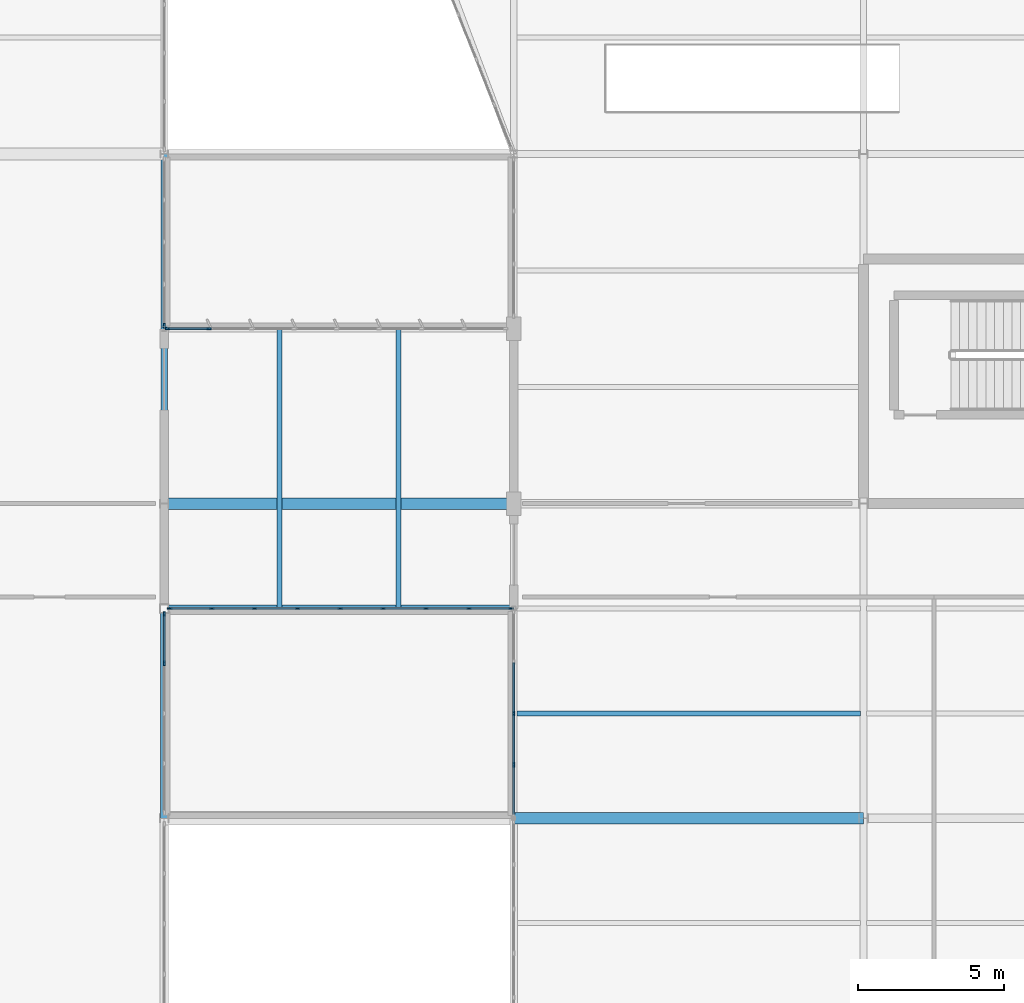
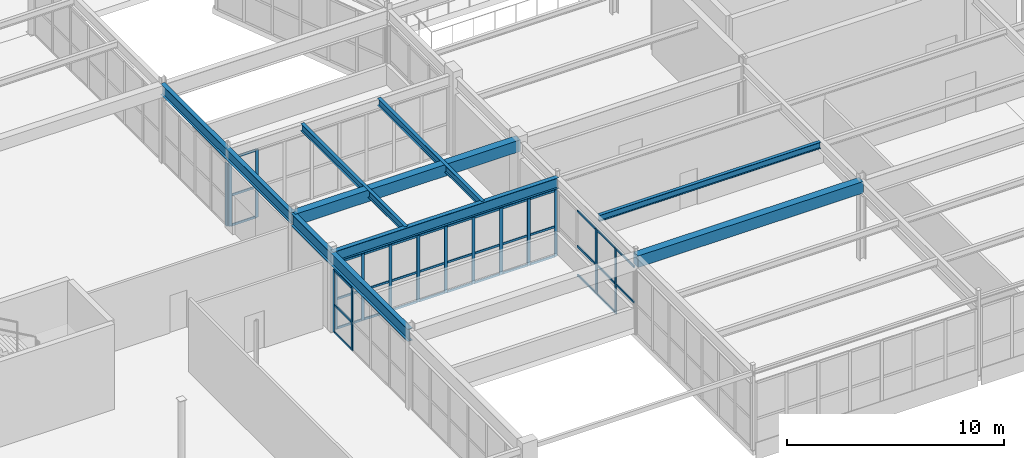
# One storey, part 107 of 226: 54 members, 8 beams, 5 elements without a shape of their own.
"""IFC4 building model written with IfcOpenShell, lengths in metres."""

from ifc_helpers import new_model, si_unit, direction, frame, origin, origin_2d, place, context, subcontext, project, spatial, rectangle, i_section, extrude, material, layer, layer_set, material_profile, profile_set, type_object, element, aggregate, save


model = new_model("IFC4")

# Units and contexts
model_context = context("Model", 3, precision=1e-05, world=origin(), true_north=direction((0.0, 1.0)))
body_context = subcontext(model_context, "Body", "Model", "MODEL_VIEW")
ifc_project = project(units=[si_unit("LENGTHUNIT", "METRE"), si_unit("AREAUNIT", "SQUARE_METRE"), si_unit("VOLUMEUNIT", "CUBIC_METRE"), si_unit("PLANEANGLEUNIT", "RADIAN"), si_unit("MASSUNIT", "GRAM", prefix="KILO")], contexts=[model_context])

# Site, building, storey
site_placement = place(None, origin())
site = spatial("IfcSite", under=ifc_project, at=site_placement, CompositionType="ELEMENT")
building_placement = place(site_placement, origin())
building = spatial("IfcBuilding", under=site, at=building_placement, Name="Tarnwether General Hospital", CompositionType="ELEMENT")
storey_placement = place(building_placement, frame((0.0, 0.0, 4.800048828125)))
storey = spatial("IfcBuildingStorey", under=building, at=storey_placement, Name="L01", CompositionType="ELEMENT", Elevation=4.800048828125)

# Beams
ifc_material_1 = material(Name="Steel Grade 350 (350 MPa)", Category="steel")
ifc_material_profile_1 = material_profile(ifc_material_1, i_section(OverallWidth=0.25, OverallDepth=0.69189453125, WebThickness=0.009033203125, FlangeThickness=0.01611328125, at=origin_2d()), Name="700WB115")
ifc_profile_set_1 = profile_set([ifc_material_profile_1], Name="Steel Grade 350 (350 MPa)")
beam_type_1 = type_object("IfcBeamType", Name="BM-G02", PredefinedType="BEAM", material=ifc_profile_set_1)
beam_1_placement = place(storey_placement, frame((132.0, 10.800048828125, 4.098876953125), z_axis=(0.0, 1.0, 0.0), x_axis=(-1.0, 0.0, 0.0)))
element("IfcBeam", 1, at=beam_1_placement, inside=storey, type_object=beam_type_1, Name="Primary Girder BMG-L01-13200_1080-13200_2160-1195", PredefinedType="BEAM", context=body_context, shape_type="SweptSolid", body=[
    extrude(i_section(OverallWidth=0.25, OverallDepth=0.69189453125, WebThickness=0.009033203125, FlangeThickness=0.01611328125, at=origin_2d()), origin(), (0.0, 0.0, 1.0), 10.800048828125),
])
ifc_material_2 = material(Name="Steel Grade 350 (350 MPa)", Category="steel")
ifc_material_profile_2 = material_profile(ifc_material_2, i_section(OverallWidth=0.22900390625, OverallDepth=0.612060546875, WebThickness=0.011962890625, FlangeThickness=0.01953125, at=origin_2d()), Name="610UB125")
ifc_profile_set_2 = profile_set([ifc_material_profile_2], Name="Steel Grade 350 (350 MPa)")
beam_type_2 = type_object("IfcBeamType", Name="BM-G03", PredefinedType="BEAM", material=ifc_profile_set_2)
for number, where, z_axis, x_axis, name in (
    (2, (132.0, 21.60009765625, 4.138916015625), (0.0, 1.0, 0.0), (-1.0, 0.0, 0.0), "Primary Girder BMG-L01-13200_2160-13200_3360-1197"),
    (3, (132.0, 18.0, 4.138916015625), (1.0, 0.0, 0.0), (0.0, 1.0, 0.0), "Court Link Bridge Girder South BMG-L01-13200_1800-14400_1800-1862"),
):
    element("IfcBeam", number, at=place(storey_placement, frame(where, z_axis=z_axis, x_axis=x_axis)), inside=storey, type_object=beam_type_2, Name=name, PredefinedType="BEAM", context=body_context, shape_type="SweptSolid", body=[
        extrude(i_section(OverallWidth=0.22900390625, OverallDepth=0.612060546875, WebThickness=0.011962890625, FlangeThickness=0.01953125, at=origin_2d()), origin(), (0.0, 0.0, 1.0), 12.0),
    ])
ifc_material_3 = material(Name="Concrete 40 MPa", Category="concrete")
ifc_material_profile_3 = material_profile(ifc_material_3, rectangle(XDim=0.39990234375, YDim=0.64990234375, at=origin_2d()), Name="RC-BM-400x650")
ifc_profile_set_3 = profile_set([ifc_material_profile_3], Name="Concrete 40 MPa")
beam_type_3 = type_object("IfcBeamType", Name="BM-G14", PredefinedType="BEAM", material=ifc_profile_set_3)
for number, where, z_axis, x_axis, name in (
    (4, (132.0, 21.60009765625, 4.119873046875), (1.0, 0.0, 0.0), (0.0, 1.0, 0.0), "Primary Girder BMG-L01-13200_2160-14400_2160-1196"),
    (5, (144.0, 10.800048828125, 4.119873046875), (1.0, 0.0, 0.0), (0.0, 1.0, 0.0), "Primary Girder BMG-L01-14400_1080-15600_1080-1212"),
):
    element("IfcBeam", number, at=place(storey_placement, frame(where, z_axis=z_axis, x_axis=x_axis)), inside=storey, type_object=beam_type_3, Name=name, PredefinedType="BEAM", context=body_context, shape_type="SweptSolid", body=[
        extrude(rectangle(XDim=0.39990234375, YDim=0.64990234375, at=origin_2d()), origin(), (0.0, 0.0, 1.0), 12.0),
    ])
ifc_material_4 = material(Name="Steel Grade 350 (350 MPa)", Category="steel")
ifc_material_profile_4 = material_profile(ifc_material_4, i_section(OverallWidth=0.177978515625, OverallDepth=0.403076171875, WebThickness=0.007568359375, FlangeThickness=0.010986328125, at=origin_2d()), Name="410UB53.7")
ifc_profile_set_4 = profile_set([ifc_material_profile_4], Name="Steel Grade 350 (350 MPa)")
beam_type_4 = type_object("IfcBeamType", Name="BM-J02", PredefinedType="JOIST", material=ifc_profile_set_4)
for number, where, z_axis, x_axis, name in (
    (6, (135.9599609375, 18.0, 4.243408203125), (0.0, 1.0, 0.0), (-1.0, 0.0, 0.0), "Court Link Bridge Cross Beam South BMG-L01-13596_1800-13596_2760-1864"),
    (7, (140.0400390625, 18.0, 4.243408203125), (0.0, 1.0, 0.0), (-1.0, 0.0, 0.0), "Court Link Bridge Cross Beam South BMG-L01-14004_1800-14004_2760-1865"),
):
    element("IfcBeam", number, at=place(storey_placement, frame(where, z_axis=z_axis, x_axis=x_axis)), inside=storey, type_object=beam_type_4, Name=name, PredefinedType="JOIST", context=body_context, shape_type="SweptSolid", body=[
        extrude(i_section(OverallWidth=0.177978515625, OverallDepth=0.403076171875, WebThickness=0.007568359375, FlangeThickness=0.010986328125, at=origin_2d()), origin(), (0.0, 0.0, 1.0), 9.60009765625),
    ])
ifc_material_5 = material(Name="Steel Grade 350 (350 MPa)", Category="steel")
ifc_material_profile_5 = material_profile(ifc_material_5, i_section(OverallWidth=0.172119140625, OverallDepth=0.35888671875, WebThickness=0.008056640625, FlangeThickness=0.012939453125, at=origin_2d()), Name="360UB56.7")
ifc_profile_set_5 = profile_set([ifc_material_profile_5], Name="Steel Grade 350 (350 MPa)")
beam_type_5 = type_object("IfcBeamType", Name="BM-J03", PredefinedType="JOIST", material=ifc_profile_set_5)
beam_2_placement = place(storey_placement, frame((144.10791015625, 14.39990234375, 4.265380859375), z_axis=(1.0, 0.0, 0.0), x_axis=(0.0, 1.0, 0.0)))
element("IfcBeam", 8, at=beam_2_placement, inside=storey, type_object=beam_type_5, Name="Composite Floor Joist BMG-L01-14411_1440-15589_1440-1387", PredefinedType="JOIST", context=body_context, shape_type="SweptSolid", body=[
    extrude(i_section(OverallWidth=0.172119140625, OverallDepth=0.35888671875, WebThickness=0.008056640625, FlangeThickness=0.012939453125, at=origin_2d()), origin(), (0.0, 0.0, 1.0), 11.7841796875),
])

# Curtain wall, members
ifc_material_6 = material(Name="Anodised aluminium", Category="aluminium")
ifc_layer_1 = layer(ifc_material_6, 0.159912109375)
ifc_layer_set_1 = layer_set([ifc_layer_1], Name="Anodised aluminium")
curtain_wall_type_1 = type_object("IfcCurtainWallType", Name="CW-15", PredefinedType="NOTDEFINED", material=ifc_layer_set_1)
curtain_wall_1_placement = place(storey_placement, origin())
curtain_wall_1 = element("IfcCurtainWall", 9, at=curtain_wall_1_placement, inside=storey, type_object=curtain_wall_type_1, Name="Curtain Wall CWG-L01-1320_178-0361", PredefinedType="NOTDEFINED")
ifc_material_7 = material(Name="Anodised aluminium", Category="aluminium")
ifc_material_profile_6 = material_profile(ifc_material_7, rectangle(XDim=0.06005859375, YDim=0.159912109375, at=origin_2d()), Name="ALU-MUL-60x160")
ifc_profile_set_6 = profile_set([ifc_material_profile_6], Name="Anodised aluminium")
member_type_1 = type_object("IfcMemberType", Name="CW-ML1", PredefinedType="MULLION", material=ifc_profile_set_6)
member_1_placement = place(storey_placement, frame((132.0, 17.81201171875, 0.0), z_axis=(0.0, 0.0, 1.0), x_axis=(1.0, 0.0, 0.0)))
member_1 = element("IfcMember", 10, at=member_1_placement, type_object=member_type_1, Name="CW-15 mullion 1", PredefinedType="MULLION", context=body_context, shape_type="SweptSolid", body=[
    extrude(rectangle(XDim=0.06005859375, YDim=0.159912109375, at=origin_2d()), origin(), (0.0, 0.0, 1.0), 3.530029296875),
])
member_2_placement = place(storey_placement, frame((132.0, 16.1220703125, 0.0), z_axis=(0.0, 0.0, 1.0), x_axis=(1.0, 0.0, 0.0)))
member_2 = element("IfcMember", 11, at=member_2_placement, type_object=member_type_1, Name="CW-15 mullion 2", PredefinedType="MULLION", context=body_context, shape_type="SweptSolid", body=[
    extrude(rectangle(XDim=0.06005859375, YDim=0.159912109375, at=origin_2d()), origin(), (0.0, 0.0, 1.0), 3.530029296875),
])

curtain_wall_2_placement = place(storey_placement, origin())
curtain_wall_2 = element("IfcCurtainWall", 12, at=curtain_wall_2_placement, inside=storey, type_object=curtain_wall_type_1, Name="Curtain Wall CWG-L01-1440_109-0364", PredefinedType="NOTDEFINED")
member_3_placement = place(storey_placement, frame((144.0, 12.635009765625, 0.0), z_axis=(0.0, 0.0, 1.0), x_axis=(-1.0, 0.0, 0.0)))
member_3 = element("IfcMember", 13, at=member_3_placement, type_object=member_type_1, Name="CW-15 mullion 2", PredefinedType="MULLION", context=body_context, shape_type="SweptSolid", body=[
    extrude(rectangle(XDim=0.06005859375, YDim=0.159912109375, at=origin_2d()), origin(), (0.0, 0.0, 1.0), 3.679931640625),
])
member_4_placement = place(storey_placement, frame((144.0, 14.39990234375, 0.0), z_axis=(0.0, 0.0, 1.0), x_axis=(-1.0, 0.0, 0.0)))
member_4 = element("IfcMember", 14, at=member_4_placement, type_object=member_type_1, Name="CW-15 mullion 3", PredefinedType="MULLION", context=body_context, shape_type="SweptSolid", body=[
    extrude(rectangle(XDim=0.06005859375, YDim=0.159912109375, at=origin_2d()), origin(), (0.0, 0.0, 1.0), 3.679931640625),
])

# Curtain wall, member
curtain_wall_3_placement = place(storey_placement, origin())
curtain_wall_3 = element("IfcCurtainWall", 15, at=curtain_wall_3_placement, inside=storey, type_object=curtain_wall_type_1, Name="Curtain Wall CWG-L01-1320_335-0366", PredefinedType="NOTDEFINED")
member_5_placement = place(storey_placement, frame((132.0, 27.717041015625, 0.0), z_axis=(0.0, 0.0, 1.0), x_axis=(1.0, 0.0, 0.0)))
member_5 = element("IfcMember", 16, at=member_5_placement, type_object=member_type_1, Name="CW-15 mullion 5", PredefinedType="MULLION", context=body_context, shape_type="SweptSolid", body=[
    extrude(rectangle(XDim=0.06005859375, YDim=0.159912109375, at=origin_2d()), origin(), (0.0, 0.0, 1.0), 3.530029296875),
])
aggregate(curtain_wall_3, [member_5])

# Curtain wall, members
ifc_material_8 = material(Name="Anodised aluminium", Category="aluminium")
ifc_layer_2 = layer(ifc_material_8, 0.159912109375)
ifc_layer_set_2 = layer_set([ifc_layer_2], Name="Anodised aluminium")
curtain_wall_type_2 = type_object("IfcCurtainWallType", Name="CW-21", PredefinedType="NOTDEFINED", material=ifc_layer_set_2)
curtain_wall_4_placement = place(storey_placement, origin())
curtain_wall_4 = element("IfcCurtainWall", 17, at=curtain_wall_4_placement, inside=storey, type_object=curtain_wall_type_2, Name="Curtain Wall CWG-L01-1321_276-0399", PredefinedType="NOTDEFINED")
member_6_placement = place(storey_placement, frame((132.114013671875, 27.60009765625, 0.0), z_axis=(0.0, 0.0, 1.0), x_axis=(0.0, 1.0, 0.0)))
member_6 = element("IfcMember", 18, at=member_6_placement, type_object=member_type_1, Name="CW-21 mullion 1", PredefinedType="MULLION", context=body_context, shape_type="SweptSolid", body=[
    extrude(rectangle(XDim=0.06005859375, YDim=0.159912109375, at=origin_2d()), origin(), (0.0, 0.0, 1.0), 3.81787109375),
])
member_7_placement = place(storey_placement, frame((133.541259765625, 27.60009765625, 0.0), z_axis=(0.0, 0.0, 1.0), x_axis=(0.0, 1.0, 0.0)))
member_7 = element("IfcMember", 19, at=member_7_placement, type_object=member_type_1, Name="CW-21 mullion 2", PredefinedType="MULLION", context=body_context, shape_type="SweptSolid", body=[
    extrude(rectangle(XDim=0.06005859375, YDim=0.159912109375, at=origin_2d()), origin(), (0.0, 0.0, 1.0), 3.81787109375),
])

ifc_material_9 = material(Name="Anodised aluminium", Category="aluminium")
ifc_layer_3 = layer(ifc_material_9, 0.159912109375)
ifc_layer_set_3 = layer_set([ifc_layer_3], Name="Anodised aluminium")
curtain_wall_type_3 = type_object("IfcCurtainWallType", Name="CW-22", PredefinedType="NOTDEFINED", material=ifc_layer_set_3)
curtain_wall_5_placement = place(storey_placement, origin())
curtain_wall_5 = element("IfcCurtainWall", 20, at=curtain_wall_5_placement, inside=storey, type_object=curtain_wall_type_3, Name="Curtain Wall CWG-L01-1439_180-0400", PredefinedType="NOTDEFINED")
member_8_placement = place(storey_placement, frame((143.89892578125, 18.0, 0.0), z_axis=(0.0, 0.0, 1.0), x_axis=(0.0, -1.0, 0.0)))
member_8 = element("IfcMember", 21, at=member_8_placement, type_object=member_type_1, Name="CW-22 mullion 1", PredefinedType="MULLION", context=body_context, shape_type="SweptSolid", body=[
    extrude(rectangle(XDim=0.06005859375, YDim=0.159912109375, at=origin_2d()), origin(), (0.0, 0.0, 1.0), 3.738037109375),
])
member_9_placement = place(storey_placement, frame((142.45751953125, 18.0, 0.0), z_axis=(0.0, 0.0, 1.0), x_axis=(0.0, -1.0, 0.0)))
member_9 = element("IfcMember", 22, at=member_9_placement, type_object=member_type_1, Name="CW-22 mullion 2", PredefinedType="MULLION", context=body_context, shape_type="SweptSolid", body=[
    extrude(rectangle(XDim=0.06005859375, YDim=0.159912109375, at=origin_2d()), origin(), (0.0, 0.0, 1.0), 3.738037109375),
])
member_10_placement = place(storey_placement, frame((140.986328125, 18.0, 0.0), z_axis=(0.0, 0.0, 1.0), x_axis=(0.0, -1.0, 0.0)))
member_10 = element("IfcMember", 23, at=member_10_placement, type_object=member_type_1, Name="CW-22 mullion 3", PredefinedType="MULLION", context=body_context, shape_type="SweptSolid", body=[
    extrude(rectangle(XDim=0.06005859375, YDim=0.159912109375, at=origin_2d()), origin(), (0.0, 0.0, 1.0), 3.738037109375),
])
member_11_placement = place(storey_placement, frame((139.514892578125, 18.0, 0.0), z_axis=(0.0, 0.0, 1.0), x_axis=(0.0, -1.0, 0.0)))
member_11 = element("IfcMember", 24, at=member_11_placement, type_object=member_type_1, Name="CW-22 mullion 4", PredefinedType="MULLION", context=body_context, shape_type="SweptSolid", body=[
    extrude(rectangle(XDim=0.06005859375, YDim=0.159912109375, at=origin_2d()), origin(), (0.0, 0.0, 1.0), 3.738037109375),
])
member_12_placement = place(storey_placement, frame((138.04345703125, 18.0, 0.0), z_axis=(0.0, 0.0, 1.0), x_axis=(0.0, -1.0, 0.0)))
member_12 = element("IfcMember", 25, at=member_12_placement, type_object=member_type_1, Name="CW-22 mullion 5", PredefinedType="MULLION", context=body_context, shape_type="SweptSolid", body=[
    extrude(rectangle(XDim=0.06005859375, YDim=0.159912109375, at=origin_2d()), origin(), (0.0, 0.0, 1.0), 3.738037109375),
])
member_13_placement = place(storey_placement, frame((136.572021484375, 18.0, 0.0), z_axis=(0.0, 0.0, 1.0), x_axis=(0.0, -1.0, 0.0)))
member_13 = element("IfcMember", 26, at=member_13_placement, type_object=member_type_1, Name="CW-22 mullion 6", PredefinedType="MULLION", context=body_context, shape_type="SweptSolid", body=[
    extrude(rectangle(XDim=0.06005859375, YDim=0.159912109375, at=origin_2d()), origin(), (0.0, 0.0, 1.0), 3.738037109375),
])
member_14_placement = place(storey_placement, frame((135.100830078125, 18.0, 0.0), z_axis=(0.0, 0.0, 1.0), x_axis=(0.0, -1.0, 0.0)))
member_14 = element("IfcMember", 27, at=member_14_placement, type_object=member_type_1, Name="CW-22 mullion 7", PredefinedType="MULLION", context=body_context, shape_type="SweptSolid", body=[
    extrude(rectangle(XDim=0.06005859375, YDim=0.159912109375, at=origin_2d()), origin(), (0.0, 0.0, 1.0), 3.738037109375),
])
member_15_placement = place(storey_placement, frame((133.62939453125, 18.0, 0.0), z_axis=(0.0, 0.0, 1.0), x_axis=(0.0, -1.0, 0.0)))
member_15 = element("IfcMember", 28, at=member_15_placement, type_object=member_type_1, Name="CW-22 mullion 8", PredefinedType="MULLION", context=body_context, shape_type="SweptSolid", body=[
    extrude(rectangle(XDim=0.06005859375, YDim=0.159912109375, at=origin_2d()), origin(), (0.0, 0.0, 1.0), 3.738037109375),
])
member_16_placement = place(storey_placement, frame((132.18798828125, 18.0, 0.0), z_axis=(0.0, 0.0, 1.0), x_axis=(0.0, -1.0, 0.0)))
member_16 = element("IfcMember", 29, at=member_16_placement, type_object=member_type_1, Name="CW-22 mullion 9", PredefinedType="MULLION", context=body_context, shape_type="SweptSolid", body=[
    extrude(rectangle(XDim=0.06005859375, YDim=0.159912109375, at=origin_2d()), origin(), (0.0, 0.0, 1.0), 3.738037109375),
])

# Member
ifc_material_10 = material(Name="Anodised aluminium", Category="aluminium")
ifc_material_profile_7 = material_profile(ifc_material_10, rectangle(XDim=0.06005859375, YDim=0.1201171875, at=origin_2d()), Name="ALU-TRN-60x120")
ifc_profile_set_7 = profile_set([ifc_material_profile_7], Name="Anodised aluminium")
member_type_2 = type_object("IfcMemberType", Name="CW-TR1", PredefinedType="USERDEFINED", material=ifc_profile_set_7)
member_17_placement = place(storey_placement, frame((132.0, 17.781982421875, 0.030029296875), z_axis=(0.0, -1.0, 0.0), x_axis=(1.0, 0.0, 0.0)))
member_17 = element("IfcMember", 30, at=member_17_placement, type_object=member_type_2, Name="CW-15 transom 1.1", ObjectType="TRANSOM", PredefinedType="USERDEFINED", context=body_context, shape_type="SweptSolid", body=[
    extrude(rectangle(XDim=0.06005859375, YDim=0.1201171875, at=origin_2d()), origin(), (0.0, 0.0, 1.0), 1.6298828125),
])

member_18_placement = place(storey_placement, frame((132.0, 17.781982421875, 1.58837890625), z_axis=(0.0, -1.0, 0.0), x_axis=(1.0, 0.0, 0.0)))
member_18 = element("IfcMember", 31, at=member_18_placement, type_object=member_type_2, Name="CW-15 transom 1.2", ObjectType="TRANSOM", PredefinedType="USERDEFINED", context=body_context, shape_type="SweptSolid", body=[
    extrude(rectangle(XDim=0.06005859375, YDim=0.1201171875, at=origin_2d()), origin(), (0.0, 0.0, 1.0), 1.6298828125),
])

member_19_placement = place(storey_placement, frame((132.0, 17.781982421875, 3.5), z_axis=(0.0, -1.0, 0.0), x_axis=(1.0, 0.0, 0.0)))
member_19 = element("IfcMember", 32, at=member_19_placement, type_object=member_type_2, Name="CW-15 transom 1.3", ObjectType="TRANSOM", PredefinedType="USERDEFINED", context=body_context, shape_type="SweptSolid", body=[
    extrude(rectangle(XDim=0.06005859375, YDim=0.1201171875, at=origin_2d()), origin(), (0.0, 0.0, 1.0), 1.6298828125),
])

aggregate(curtain_wall_1, [member_1, member_2, member_17, member_18, member_19])

member_20_placement = place(storey_placement, frame((144.0, 10.929931640625, 1.656005859375), z_axis=(0.0, 1.0, 0.0), x_axis=(-1.0, 0.0, 0.0)))
member_20 = element("IfcMember", 33, at=member_20_placement, type_object=member_type_2, Name="CW-15 transom 1.2", ObjectType="TRANSOM", PredefinedType="USERDEFINED", context=body_context, shape_type="SweptSolid", body=[
    extrude(rectangle(XDim=0.06005859375, YDim=0.1201171875, at=origin_2d()), origin(), (0.0, 0.0, 1.0), 1.675048828125),
])

member_21_placement = place(storey_placement, frame((144.0, 10.929931640625, 3.64990234375), z_axis=(0.0, 1.0, 0.0), x_axis=(-1.0, 0.0, 0.0)))
member_21 = element("IfcMember", 34, at=member_21_placement, type_object=member_type_2, Name="CW-15 transom 1.3", ObjectType="TRANSOM", PredefinedType="USERDEFINED", context=body_context, shape_type="SweptSolid", body=[
    extrude(rectangle(XDim=0.06005859375, YDim=0.1201171875, at=origin_2d()), origin(), (0.0, 0.0, 1.0), 1.675048828125),
])

member_22_placement = place(storey_placement, frame((144.0, 12.6650390625, 0.030029296875), z_axis=(0.0, 1.0, 0.0), x_axis=(-1.0, 0.0, 0.0)))
member_22 = element("IfcMember", 35, at=member_22_placement, type_object=member_type_2, Name="CW-15 transom 2.1", ObjectType="TRANSOM", PredefinedType="USERDEFINED", context=body_context, shape_type="SweptSolid", body=[
    extrude(rectangle(XDim=0.06005859375, YDim=0.1201171875, at=origin_2d()), origin(), (0.0, 0.0, 1.0), 1.705078125),
])

member_23_placement = place(storey_placement, frame((144.0, 12.6650390625, 1.656005859375), z_axis=(0.0, 1.0, 0.0), x_axis=(-1.0, 0.0, 0.0)))
member_23 = element("IfcMember", 36, at=member_23_placement, type_object=member_type_2, Name="CW-15 transom 2.2", ObjectType="TRANSOM", PredefinedType="USERDEFINED", context=body_context, shape_type="SweptSolid", body=[
    extrude(rectangle(XDim=0.06005859375, YDim=0.1201171875, at=origin_2d()), origin(), (0.0, 0.0, 1.0), 1.705078125),
])

member_24_placement = place(storey_placement, frame((144.0, 12.6650390625, 3.64990234375), z_axis=(0.0, 1.0, 0.0), x_axis=(-1.0, 0.0, 0.0)))
member_24 = element("IfcMember", 37, at=member_24_placement, type_object=member_type_2, Name="CW-15 transom 2.3", ObjectType="TRANSOM", PredefinedType="USERDEFINED", context=body_context, shape_type="SweptSolid", body=[
    extrude(rectangle(XDim=0.06005859375, YDim=0.1201171875, at=origin_2d()), origin(), (0.0, 0.0, 1.0), 1.705078125),
])

member_25_placement = place(storey_placement, frame((144.0, 14.429931640625, 0.030029296875), z_axis=(0.0, 1.0, 0.0), x_axis=(-1.0, 0.0, 0.0)))
member_25 = element("IfcMember", 38, at=member_25_placement, type_object=member_type_2, Name="CW-15 transom 3.1", ObjectType="TRANSOM", PredefinedType="USERDEFINED", context=body_context, shape_type="SweptSolid", body=[
    extrude(rectangle(XDim=0.06005859375, YDim=0.1201171875, at=origin_2d()), origin(), (0.0, 0.0, 1.0), 1.705078125),
])

member_26_placement = place(storey_placement, frame((144.0, 14.429931640625, 1.656005859375), z_axis=(0.0, 1.0, 0.0), x_axis=(-1.0, 0.0, 0.0)))
member_26 = element("IfcMember", 39, at=member_26_placement, type_object=member_type_2, Name="CW-15 transom 3.2", ObjectType="TRANSOM", PredefinedType="USERDEFINED", context=body_context, shape_type="SweptSolid", body=[
    extrude(rectangle(XDim=0.06005859375, YDim=0.1201171875, at=origin_2d()), origin(), (0.0, 0.0, 1.0), 1.705078125),
])

member_27_placement = place(storey_placement, frame((144.0, 14.429931640625, 3.64990234375), z_axis=(0.0, 1.0, 0.0), x_axis=(-1.0, 0.0, 0.0)))
member_27 = element("IfcMember", 40, at=member_27_placement, type_object=member_type_2, Name="CW-15 transom 3.3", ObjectType="TRANSOM", PredefinedType="USERDEFINED", context=body_context, shape_type="SweptSolid", body=[
    extrude(rectangle(XDim=0.06005859375, YDim=0.1201171875, at=origin_2d()), origin(), (0.0, 0.0, 1.0), 1.705078125),
])

aggregate(curtain_wall_2, [member_3, member_4, member_20, member_21, member_22, member_23, member_24, member_25, member_26, member_27])

member_28_placement = place(storey_placement, frame((132.14404296875, 27.60009765625, 0.030029296875), z_axis=(1.0, 0.0, 0.0), x_axis=(0.0, 1.0, 0.0)))
member_28 = element("IfcMember", 41, at=member_28_placement, type_object=member_type_2, Name="CW-21 transom 1.1", ObjectType="TRANSOM", PredefinedType="USERDEFINED", context=body_context, shape_type="SweptSolid", body=[
    extrude(rectangle(XDim=0.06005859375, YDim=0.1201171875, at=origin_2d()), origin(), (0.0, 0.0, 1.0), 1.3671875),
])

member_29_placement = place(storey_placement, frame((132.14404296875, 27.60009765625, 1.718017578125), z_axis=(1.0, 0.0, 0.0), x_axis=(0.0, 1.0, 0.0)))
member_29 = element("IfcMember", 42, at=member_29_placement, type_object=member_type_2, Name="CW-21 transom 1.2", ObjectType="TRANSOM", PredefinedType="USERDEFINED", context=body_context, shape_type="SweptSolid", body=[
    extrude(rectangle(XDim=0.06005859375, YDim=0.1201171875, at=origin_2d()), origin(), (0.0, 0.0, 1.0), 1.3671875),
])

member_30_placement = place(storey_placement, frame((132.14404296875, 27.60009765625, 3.787841796875), z_axis=(1.0, 0.0, 0.0), x_axis=(0.0, 1.0, 0.0)))
member_30 = element("IfcMember", 43, at=member_30_placement, type_object=member_type_2, Name="CW-21 transom 1.3", ObjectType="TRANSOM", PredefinedType="USERDEFINED", context=body_context, shape_type="SweptSolid", body=[
    extrude(rectangle(XDim=0.06005859375, YDim=0.1201171875, at=origin_2d()), origin(), (0.0, 0.0, 1.0), 1.3671875),
])

aggregate(curtain_wall_4, [member_6, member_7, member_28, member_29, member_30])

member_31_placement = place(storey_placement, frame((143.868896484375, 18.0, 0.030029296875), z_axis=(-1.0, 0.0, 0.0), x_axis=(0.0, -1.0, 0.0)))
member_31 = element("IfcMember", 44, at=member_31_placement, type_object=member_type_2, Name="CW-22 transom 1.1", ObjectType="TRANSOM", PredefinedType="USERDEFINED", context=body_context, shape_type="SweptSolid", body=[
    extrude(rectangle(XDim=0.06005859375, YDim=0.1201171875, at=origin_2d()), origin(), (0.0, 0.0, 1.0), 1.38134765625),
])

member_32_placement = place(storey_placement, frame((143.868896484375, 18.0, 1.68212890625), z_axis=(-1.0, 0.0, 0.0), x_axis=(0.0, -1.0, 0.0)))
member_32 = element("IfcMember", 45, at=member_32_placement, type_object=member_type_2, Name="CW-22 transom 1.2", ObjectType="TRANSOM", PredefinedType="USERDEFINED", context=body_context, shape_type="SweptSolid", body=[
    extrude(rectangle(XDim=0.06005859375, YDim=0.1201171875, at=origin_2d()), origin(), (0.0, 0.0, 1.0), 1.38134765625),
])

member_33_placement = place(storey_placement, frame((143.868896484375, 18.0, 3.7080078125), z_axis=(-1.0, 0.0, 0.0), x_axis=(0.0, -1.0, 0.0)))
member_33 = element("IfcMember", 46, at=member_33_placement, type_object=member_type_2, Name="CW-22 transom 1.3", ObjectType="TRANSOM", PredefinedType="USERDEFINED", context=body_context, shape_type="SweptSolid", body=[
    extrude(rectangle(XDim=0.06005859375, YDim=0.1201171875, at=origin_2d()), origin(), (0.0, 0.0, 1.0), 1.38134765625),
])

member_34_placement = place(storey_placement, frame((142.427734375, 18.0, 0.030029296875), z_axis=(-1.0, 0.0, 0.0), x_axis=(0.0, -1.0, 0.0)))
member_34 = element("IfcMember", 47, at=member_34_placement, type_object=member_type_2, Name="CW-22 transom 2.1", ObjectType="TRANSOM", PredefinedType="USERDEFINED", context=body_context, shape_type="SweptSolid", body=[
    extrude(rectangle(XDim=0.06005859375, YDim=0.1201171875, at=origin_2d()), origin(), (0.0, 0.0, 1.0), 1.411376953125),
])

member_35_placement = place(storey_placement, frame((142.427734375, 18.0, 1.68212890625), z_axis=(-1.0, 0.0, 0.0), x_axis=(0.0, -1.0, 0.0)))
member_35 = element("IfcMember", 48, at=member_35_placement, type_object=member_type_2, Name="CW-22 transom 2.2", ObjectType="TRANSOM", PredefinedType="USERDEFINED", context=body_context, shape_type="SweptSolid", body=[
    extrude(rectangle(XDim=0.06005859375, YDim=0.1201171875, at=origin_2d()), origin(), (0.0, 0.0, 1.0), 1.411376953125),
])

member_36_placement = place(storey_placement, frame((142.427734375, 18.0, 3.7080078125), z_axis=(-1.0, 0.0, 0.0), x_axis=(0.0, -1.0, 0.0)))
member_36 = element("IfcMember", 49, at=member_36_placement, type_object=member_type_2, Name="CW-22 transom 2.3", ObjectType="TRANSOM", PredefinedType="USERDEFINED", context=body_context, shape_type="SweptSolid", body=[
    extrude(rectangle(XDim=0.06005859375, YDim=0.1201171875, at=origin_2d()), origin(), (0.0, 0.0, 1.0), 1.411376953125),
])

member_37_placement = place(storey_placement, frame((140.956298828125, 18.0, 0.030029296875), z_axis=(-1.0, 0.0, 0.0), x_axis=(0.0, -1.0, 0.0)))
member_37 = element("IfcMember", 50, at=member_37_placement, type_object=member_type_2, Name="CW-22 transom 3.1", ObjectType="TRANSOM", PredefinedType="USERDEFINED", context=body_context, shape_type="SweptSolid", body=[
    extrude(rectangle(XDim=0.06005859375, YDim=0.1201171875, at=origin_2d()), origin(), (0.0, 0.0, 1.0), 1.411376953125),
])

member_38_placement = place(storey_placement, frame((140.956298828125, 18.0, 1.68212890625), z_axis=(-1.0, 0.0, 0.0), x_axis=(0.0, -1.0, 0.0)))
member_38 = element("IfcMember", 51, at=member_38_placement, type_object=member_type_2, Name="CW-22 transom 3.2", ObjectType="TRANSOM", PredefinedType="USERDEFINED", context=body_context, shape_type="SweptSolid", body=[
    extrude(rectangle(XDim=0.06005859375, YDim=0.1201171875, at=origin_2d()), origin(), (0.0, 0.0, 1.0), 1.411376953125),
])

member_39_placement = place(storey_placement, frame((140.956298828125, 18.0, 3.7080078125), z_axis=(-1.0, 0.0, 0.0), x_axis=(0.0, -1.0, 0.0)))
member_39 = element("IfcMember", 52, at=member_39_placement, type_object=member_type_2, Name="CW-22 transom 3.3", ObjectType="TRANSOM", PredefinedType="USERDEFINED", context=body_context, shape_type="SweptSolid", body=[
    extrude(rectangle(XDim=0.06005859375, YDim=0.1201171875, at=origin_2d()), origin(), (0.0, 0.0, 1.0), 1.411376953125),
])

member_40_placement = place(storey_placement, frame((139.48486328125, 18.0, 0.030029296875), z_axis=(-1.0, 0.0, 0.0), x_axis=(0.0, -1.0, 0.0)))
member_40 = element("IfcMember", 53, at=member_40_placement, type_object=member_type_2, Name="CW-22 transom 4.1", ObjectType="TRANSOM", PredefinedType="USERDEFINED", context=body_context, shape_type="SweptSolid", body=[
    extrude(rectangle(XDim=0.06005859375, YDim=0.1201171875, at=origin_2d()), origin(), (0.0, 0.0, 1.0), 1.411376953125),
])

member_41_placement = place(storey_placement, frame((139.48486328125, 18.0, 1.68212890625), z_axis=(-1.0, 0.0, 0.0), x_axis=(0.0, -1.0, 0.0)))
member_41 = element("IfcMember", 54, at=member_41_placement, type_object=member_type_2, Name="CW-22 transom 4.2", ObjectType="TRANSOM", PredefinedType="USERDEFINED", context=body_context, shape_type="SweptSolid", body=[
    extrude(rectangle(XDim=0.06005859375, YDim=0.1201171875, at=origin_2d()), origin(), (0.0, 0.0, 1.0), 1.411376953125),
])

member_42_placement = place(storey_placement, frame((139.48486328125, 18.0, 3.7080078125), z_axis=(-1.0, 0.0, 0.0), x_axis=(0.0, -1.0, 0.0)))
member_42 = element("IfcMember", 55, at=member_42_placement, type_object=member_type_2, Name="CW-22 transom 4.3", ObjectType="TRANSOM", PredefinedType="USERDEFINED", context=body_context, shape_type="SweptSolid", body=[
    extrude(rectangle(XDim=0.06005859375, YDim=0.1201171875, at=origin_2d()), origin(), (0.0, 0.0, 1.0), 1.411376953125),
])

member_43_placement = place(storey_placement, frame((138.013427734375, 18.0, 0.030029296875), z_axis=(-1.0, 0.0, 0.0), x_axis=(0.0, -1.0, 0.0)))
member_43 = element("IfcMember", 56, at=member_43_placement, type_object=member_type_2, Name="CW-22 transom 5.1", ObjectType="TRANSOM", PredefinedType="USERDEFINED", context=body_context, shape_type="SweptSolid", body=[
    extrude(rectangle(XDim=0.06005859375, YDim=0.1201171875, at=origin_2d()), origin(), (0.0, 0.0, 1.0), 1.411376953125),
])

member_44_placement = place(storey_placement, frame((138.013427734375, 18.0, 1.68212890625), z_axis=(-1.0, 0.0, 0.0), x_axis=(0.0, -1.0, 0.0)))
member_44 = element("IfcMember", 57, at=member_44_placement, type_object=member_type_2, Name="CW-22 transom 5.2", ObjectType="TRANSOM", PredefinedType="USERDEFINED", context=body_context, shape_type="SweptSolid", body=[
    extrude(rectangle(XDim=0.06005859375, YDim=0.1201171875, at=origin_2d()), origin(), (0.0, 0.0, 1.0), 1.411376953125),
])

member_45_placement = place(storey_placement, frame((138.013427734375, 18.0, 3.7080078125), z_axis=(-1.0, 0.0, 0.0), x_axis=(0.0, -1.0, 0.0)))
member_45 = element("IfcMember", 58, at=member_45_placement, type_object=member_type_2, Name="CW-22 transom 5.3", ObjectType="TRANSOM", PredefinedType="USERDEFINED", context=body_context, shape_type="SweptSolid", body=[
    extrude(rectangle(XDim=0.06005859375, YDim=0.1201171875, at=origin_2d()), origin(), (0.0, 0.0, 1.0), 1.411376953125),
])

member_46_placement = place(storey_placement, frame((136.542236328125, 18.0, 0.030029296875), z_axis=(-1.0, 0.0, 0.0), x_axis=(0.0, -1.0, 0.0)))
member_46 = element("IfcMember", 59, at=member_46_placement, type_object=member_type_2, Name="CW-22 transom 6.1", ObjectType="TRANSOM", PredefinedType="USERDEFINED", context=body_context, shape_type="SweptSolid", body=[
    extrude(rectangle(XDim=0.06005859375, YDim=0.1201171875, at=origin_2d()), origin(), (0.0, 0.0, 1.0), 1.411376953125),
])

member_47_placement = place(storey_placement, frame((136.542236328125, 18.0, 1.68212890625), z_axis=(-1.0, 0.0, 0.0), x_axis=(0.0, -1.0, 0.0)))
member_47 = element("IfcMember", 60, at=member_47_placement, type_object=member_type_2, Name="CW-22 transom 6.2", ObjectType="TRANSOM", PredefinedType="USERDEFINED", context=body_context, shape_type="SweptSolid", body=[
    extrude(rectangle(XDim=0.06005859375, YDim=0.1201171875, at=origin_2d()), origin(), (0.0, 0.0, 1.0), 1.411376953125),
])

member_48_placement = place(storey_placement, frame((136.542236328125, 18.0, 3.7080078125), z_axis=(-1.0, 0.0, 0.0), x_axis=(0.0, -1.0, 0.0)))
member_48 = element("IfcMember", 61, at=member_48_placement, type_object=member_type_2, Name="CW-22 transom 6.3", ObjectType="TRANSOM", PredefinedType="USERDEFINED", context=body_context, shape_type="SweptSolid", body=[
    extrude(rectangle(XDim=0.06005859375, YDim=0.1201171875, at=origin_2d()), origin(), (0.0, 0.0, 1.0), 1.411376953125),
])

member_49_placement = place(storey_placement, frame((135.07080078125, 18.0, 0.030029296875), z_axis=(-1.0, 0.0, 0.0), x_axis=(0.0, -1.0, 0.0)))
member_49 = element("IfcMember", 62, at=member_49_placement, type_object=member_type_2, Name="CW-22 transom 7.1", ObjectType="TRANSOM", PredefinedType="USERDEFINED", context=body_context, shape_type="SweptSolid", body=[
    extrude(rectangle(XDim=0.06005859375, YDim=0.1201171875, at=origin_2d()), origin(), (0.0, 0.0, 1.0), 1.411376953125),
])

member_50_placement = place(storey_placement, frame((135.07080078125, 18.0, 1.68212890625), z_axis=(-1.0, 0.0, 0.0), x_axis=(0.0, -1.0, 0.0)))
member_50 = element("IfcMember", 63, at=member_50_placement, type_object=member_type_2, Name="CW-22 transom 7.2", ObjectType="TRANSOM", PredefinedType="USERDEFINED", context=body_context, shape_type="SweptSolid", body=[
    extrude(rectangle(XDim=0.06005859375, YDim=0.1201171875, at=origin_2d()), origin(), (0.0, 0.0, 1.0), 1.411376953125),
])

member_51_placement = place(storey_placement, frame((135.07080078125, 18.0, 3.7080078125), z_axis=(-1.0, 0.0, 0.0), x_axis=(0.0, -1.0, 0.0)))
member_51 = element("IfcMember", 64, at=member_51_placement, type_object=member_type_2, Name="CW-22 transom 7.3", ObjectType="TRANSOM", PredefinedType="USERDEFINED", context=body_context, shape_type="SweptSolid", body=[
    extrude(rectangle(XDim=0.06005859375, YDim=0.1201171875, at=origin_2d()), origin(), (0.0, 0.0, 1.0), 1.411376953125),
])

member_52_placement = place(storey_placement, frame((133.599365234375, 18.0, 0.030029296875), z_axis=(-1.0, 0.0, 0.0), x_axis=(0.0, -1.0, 0.0)))
member_52 = element("IfcMember", 65, at=member_52_placement, type_object=member_type_2, Name="CW-22 transom 8.1", ObjectType="TRANSOM", PredefinedType="USERDEFINED", context=body_context, shape_type="SweptSolid", body=[
    extrude(rectangle(XDim=0.06005859375, YDim=0.1201171875, at=origin_2d()), origin(), (0.0, 0.0, 1.0), 1.38134765625),
])

member_53_placement = place(storey_placement, frame((133.599365234375, 18.0, 1.68212890625), z_axis=(-1.0, 0.0, 0.0), x_axis=(0.0, -1.0, 0.0)))
member_53 = element("IfcMember", 66, at=member_53_placement, type_object=member_type_2, Name="CW-22 transom 8.2", ObjectType="TRANSOM", PredefinedType="USERDEFINED", context=body_context, shape_type="SweptSolid", body=[
    extrude(rectangle(XDim=0.06005859375, YDim=0.1201171875, at=origin_2d()), origin(), (0.0, 0.0, 1.0), 1.38134765625),
])

member_54_placement = place(storey_placement, frame((133.599365234375, 18.0, 3.7080078125), z_axis=(-1.0, 0.0, 0.0), x_axis=(0.0, -1.0, 0.0)))
member_54 = element("IfcMember", 67, at=member_54_placement, type_object=member_type_2, Name="CW-22 transom 8.3", ObjectType="TRANSOM", PredefinedType="USERDEFINED", context=body_context, shape_type="SweptSolid", body=[
    extrude(rectangle(XDim=0.06005859375, YDim=0.1201171875, at=origin_2d()), origin(), (0.0, 0.0, 1.0), 1.38134765625),
])

aggregate(curtain_wall_5, [member_8, member_9, member_10, member_11, member_12, member_13, member_14, member_15, member_16, member_31, member_32, member_33, member_34, member_35, member_36, member_37, member_38, member_39, member_40, member_41, member_42, member_43, member_44, member_45, member_46, member_47, member_48, member_49, member_50, member_51, member_52, member_53, member_54])

save(model, "model.ifc")
